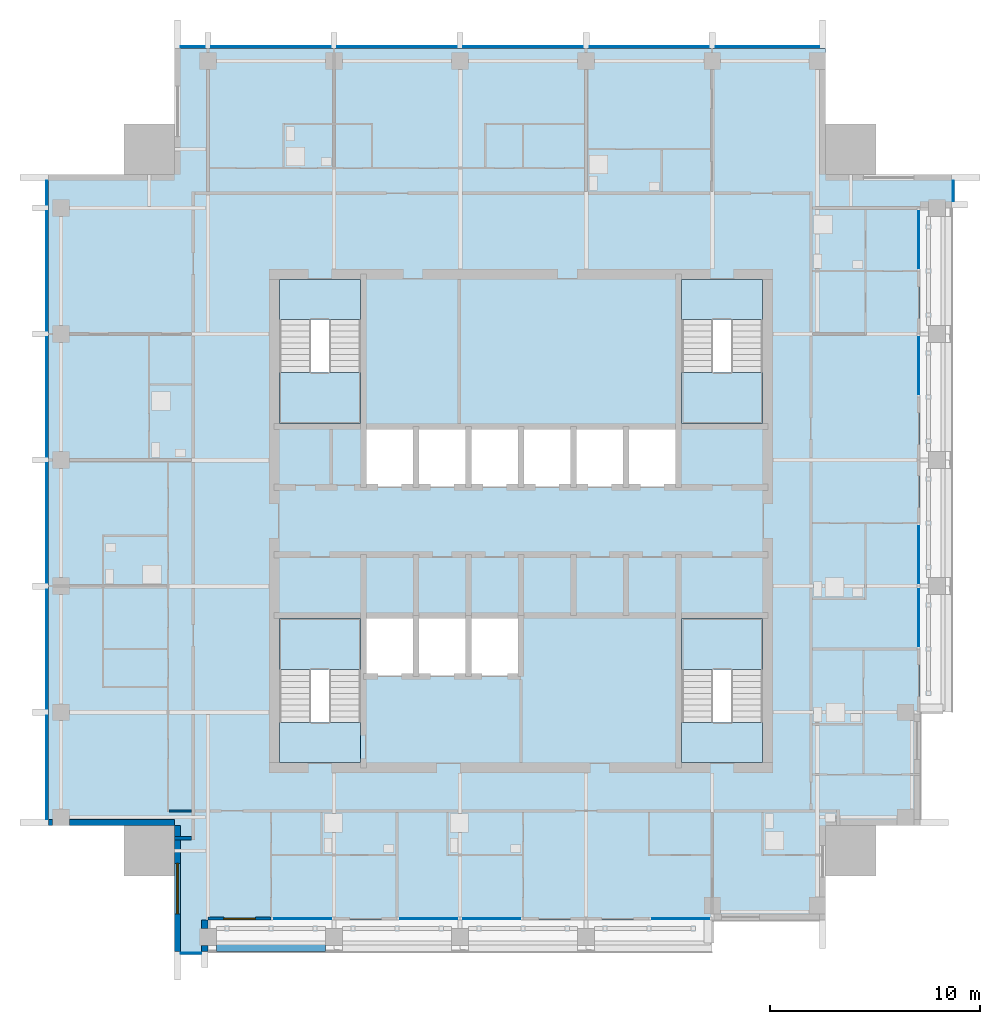
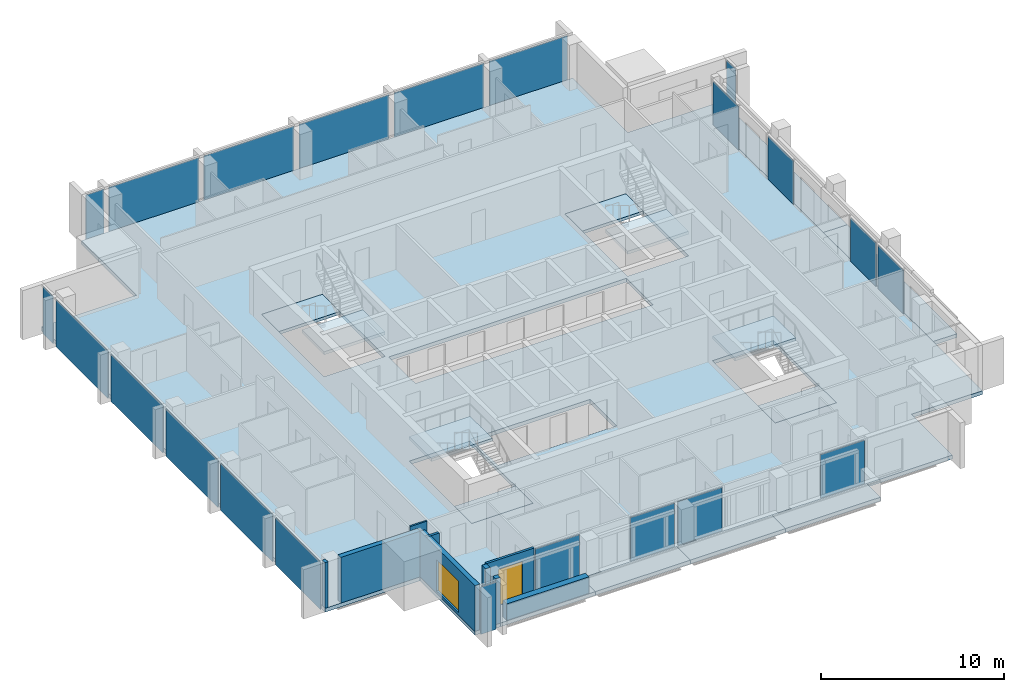
# One storey, part 6 of 15: 22 plates, 17 slabs, 9 walls, 1 door, 1 window, 2 openings, 16 elements without a shape of their own.
"""IFC4 building model written with IfcOpenShell, lengths in metres."""

from ifc_helpers import new_model, si_unit, direction, frame, frame_2d, origin, origin_2d, place, context, subcontext, project, spatial, polyline, rectangle, outline, extrude, material, layer, layer_set, type_object, element, fill, aggregate, save


model = new_model("IFC4")

# Units and contexts
model_context = context("Model", 3, precision=1e-05, world=origin(), true_north=direction((0.0, 1.0)))
body_context = subcontext(model_context, "Body", "Model", "MODEL_VIEW")
ifc_project = project(units=[si_unit("LENGTHUNIT", "METRE"), si_unit("AREAUNIT", "SQUARE_METRE"), si_unit("VOLUMEUNIT", "CUBIC_METRE"), si_unit("PLANEANGLEUNIT", "RADIAN"), si_unit("MASSUNIT", "GRAM", prefix="KILO")], contexts=[model_context])

# Site, building, storey
site_placement = place(None, origin())
site = spatial("IfcSite", under=ifc_project, at=site_placement, CompositionType="ELEMENT")
building_placement = place(site_placement, origin())
building = spatial("IfcBuilding", under=site, at=building_placement, Name="Amberfall Residences", CompositionType="ELEMENT")
storey_placement = place(building_placement, frame((0.0, 0.0, 268.60009765625)))
storey = spatial("IfcBuildingStorey", under=building, at=storey_placement, Name="L72", CompositionType="ELEMENT", Elevation=268.60009765625)

# Curtain wall, plate
ifc_material_1 = material(Name="Bronze anodised aluminium and glass", Category="aluminium")
curtain_wall_type_1 = type_object("IfcCurtainWallType", Name="Curtain wall CW1 tower unit", PredefinedType="USERDEFINED", material=ifc_material_1)
curtain_wall_1_placement = place(storey_placement, origin())
curtain_wall_1 = element("IfcCurtainWall", 1, at=curtain_wall_1_placement, inside=storey, type_object=curtain_wall_type_1, Name="Curtain wall L72 S S1", ObjectType="UNITISED CURTAIN WALL", PredefinedType="USERDEFINED")
ifc_material_2 = material(Name="Tinted double glazed unit", Category="glass")
ifc_layer_1 = layer(ifc_material_2, 0.035888671875)
ifc_layer_set_1 = layer_set([ifc_layer_1], Name="CW1 panel 36 glazing")
plate_type_1 = type_object("IfcPlateType", Name="CW1 panel 36 glazing", PredefinedType="CURTAIN_PANEL", material=ifc_layer_set_1)
plate_1_placement = place(storey_placement, frame((58.800048828125, 24.925048828125, -0.25), z_axis=(0.0, 0.0, 1.0), x_axis=(1.0, 0.0, 0.0)))
plate_1 = element("IfcPlate", 2, at=plate_1_placement, type_object=plate_type_1, Name="CW1 panel 1.1", PredefinedType="CURTAIN_PANEL", context=body_context, shape_type="SweptSolid", body=[
    extrude(rectangle(XDim=0.97607421875, YDim=0.035888671875, at=origin_2d()), origin(), (0.0, 0.0, 1.0), 3.14990234375),
])
aggregate(curtain_wall_1, [plate_1])

curtain_wall_2_placement = place(storey_placement, origin())
curtain_wall_2 = element("IfcCurtainWall", 3, at=curtain_wall_2_placement, inside=storey, type_object=curtain_wall_type_1, Name="Curtain wall L72 E E7", ObjectType="UNITISED CURTAIN WALL", PredefinedType="USERDEFINED")
plate_2_placement = place(storey_placement, frame((95.074951171875, 61.199951171875, -0.25), z_axis=(0.0, 0.0, 1.0), x_axis=(0.0, 1.0, 0.0)))
plate_2 = element("IfcPlate", 4, at=plate_2_placement, type_object=plate_type_1, Name="CW1 panel 1.1", PredefinedType="CURTAIN_PANEL", context=body_context, shape_type="SweptSolid", body=[
    extrude(rectangle(XDim=0.97607421875, YDim=0.035888671875, at=origin_2d()), origin(), (0.0, 0.0, 1.0), 3.14990234375),
])
aggregate(curtain_wall_2, [plate_2])

# Curtain wall, plates
curtain_wall_3_placement = place(storey_placement, origin())
curtain_wall_3 = element("IfcCurtainWall", 5, at=curtain_wall_3_placement, inside=storey, type_object=curtain_wall_type_1, Name="Curtain wall L72 N N1", ObjectType="UNITISED CURTAIN WALL", PredefinedType="USERDEFINED")
plate_3_placement = place(storey_placement, frame((86.22509765625, 68.074951171875, -0.25), z_axis=(0.0, 0.0, 1.0), x_axis=(-1.0, 0.0, 0.0)))
plate_3 = element("IfcPlate", 6, at=plate_3_placement, type_object=plate_type_1, Name="CW1 panel 1.1", PredefinedType="CURTAIN_PANEL", context=body_context, shape_type="SweptSolid", body=[
    extrude(rectangle(XDim=4.926025390625, YDim=0.035888671875, at=origin_2d()), origin(), (0.0, 0.0, 1.0), 3.14990234375),
])
plate_4_placement = place(storey_placement, frame((80.60009765625, 68.074951171875, -0.25), z_axis=(0.0, 0.0, 1.0), x_axis=(-1.0, 0.0, 0.0)))
plate_4 = element("IfcPlate", 7, at=plate_4_placement, type_object=plate_type_1, Name="CW1 panel 2.1", PredefinedType="CURTAIN_PANEL", context=body_context, shape_type="SweptSolid", body=[
    extrude(rectangle(XDim=5.676025390625, YDim=0.035888671875, at=origin_2d()), origin(), (0.0, 0.0, 1.0), 3.14990234375),
])
plate_5_placement = place(storey_placement, frame((74.60009765625, 68.074951171875, -0.25), z_axis=(0.0, 0.0, 1.0), x_axis=(-1.0, 0.0, 0.0)))
plate_5 = element("IfcPlate", 8, at=plate_5_placement, type_object=plate_type_1, Name="CW1 panel 3.1", PredefinedType="CURTAIN_PANEL", context=body_context, shape_type="SweptSolid", body=[
    extrude(rectangle(XDim=5.676025390625, YDim=0.035888671875, at=origin_2d()), origin(), (0.0, 0.0, 1.0), 3.14990234375),
])
plate_6_placement = place(storey_placement, frame((68.60009765625, 68.074951171875, -0.25), z_axis=(0.0, 0.0, 1.0), x_axis=(-1.0, 0.0, 0.0)))
plate_6 = element("IfcPlate", 9, at=plate_6_placement, type_object=plate_type_1, Name="CW1 panel 4.1", PredefinedType="CURTAIN_PANEL", context=body_context, shape_type="SweptSolid", body=[
    extrude(rectangle(XDim=5.676025390625, YDim=0.035888671875, at=origin_2d()), origin(), (0.0, 0.0, 1.0), 3.14990234375),
])
plate_7_placement = place(storey_placement, frame((62.60009765625, 68.074951171875, -0.25), z_axis=(0.0, 0.0, 1.0), x_axis=(-1.0, 0.0, 0.0)))
plate_7 = element("IfcPlate", 10, at=plate_7_placement, type_object=plate_type_1, Name="CW1 panel 5.1", PredefinedType="CURTAIN_PANEL", context=body_context, shape_type="SweptSolid", body=[
    extrude(rectangle(XDim=5.676025390625, YDim=0.035888671875, at=origin_2d()), origin(), (0.0, 0.0, 1.0), 3.14990234375),
])
plate_8_placement = place(storey_placement, frame((58.875, 68.074951171875, -0.25), z_axis=(0.0, 0.0, 1.0), x_axis=(-1.0, 0.0, 0.0)))
plate_8 = element("IfcPlate", 11, at=plate_8_placement, type_object=plate_type_1, Name="CW1 panel 6.1", PredefinedType="CURTAIN_PANEL", context=body_context, shape_type="SweptSolid", body=[
    extrude(rectangle(XDim=1.1259765625, YDim=0.035888671875, at=origin_2d()), origin(), (0.0, 0.0, 1.0), 3.14990234375),
])
aggregate(curtain_wall_3, [plate_3, plate_4, plate_5, plate_6, plate_7, plate_8])

curtain_wall_4_placement = place(storey_placement, origin())
curtain_wall_4 = element("IfcCurtainWall", 12, at=curtain_wall_4_placement, inside=storey, type_object=curtain_wall_type_1, Name="Curtain wall L72 W W1", ObjectType="UNITISED CURTAIN WALL", PredefinedType="USERDEFINED")
plate_9_placement = place(storey_placement, frame((51.925048828125, 61.125, -0.25), z_axis=(0.0, 0.0, 1.0), x_axis=(0.0, -1.0, 0.0)))
plate_9 = element("IfcPlate", 13, at=plate_9_placement, type_object=plate_type_1, Name="CW1 panel 1.1", PredefinedType="CURTAIN_PANEL", context=body_context, shape_type="SweptSolid", body=[
    extrude(rectangle(XDim=1.1259765625, YDim=0.035888671875, at=origin_2d()), origin(), (0.0, 0.0, 1.0), 3.14990234375),
])
plate_10_placement = place(storey_placement, frame((51.925048828125, 57.39990234375, -0.25), z_axis=(0.0, 0.0, 1.0), x_axis=(0.0, -1.0, 0.0)))
plate_10 = element("IfcPlate", 14, at=plate_10_placement, type_object=plate_type_1, Name="CW1 panel 2.1", PredefinedType="CURTAIN_PANEL", context=body_context, shape_type="SweptSolid", body=[
    extrude(rectangle(XDim=5.676025390625, YDim=0.035888671875, at=origin_2d()), origin(), (0.0, 0.0, 1.0), 3.14990234375),
])
plate_11_placement = place(storey_placement, frame((51.925048828125, 51.39990234375, -0.25), z_axis=(0.0, 0.0, 1.0), x_axis=(0.0, -1.0, 0.0)))
plate_11 = element("IfcPlate", 15, at=plate_11_placement, type_object=plate_type_1, Name="CW1 panel 3.1", PredefinedType="CURTAIN_PANEL", context=body_context, shape_type="SweptSolid", body=[
    extrude(rectangle(XDim=5.676025390625, YDim=0.035888671875, at=origin_2d()), origin(), (0.0, 0.0, 1.0), 3.14990234375),
])
plate_12_placement = place(storey_placement, frame((51.925048828125, 45.39990234375, -0.25), z_axis=(0.0, 0.0, 1.0), x_axis=(0.0, -1.0, 0.0)))
plate_12 = element("IfcPlate", 16, at=plate_12_placement, type_object=plate_type_1, Name="CW1 panel 4.1", PredefinedType="CURTAIN_PANEL", context=body_context, shape_type="SweptSolid", body=[
    extrude(rectangle(XDim=5.676025390625, YDim=0.035888671875, at=origin_2d()), origin(), (0.0, 0.0, 1.0), 3.14990234375),
])
plate_13_placement = place(storey_placement, frame((51.925048828125, 39.39990234375, -0.25), z_axis=(0.0, 0.0, 1.0), x_axis=(0.0, -1.0, 0.0)))
plate_13 = element("IfcPlate", 17, at=plate_13_placement, type_object=plate_type_1, Name="CW1 panel 5.1", PredefinedType="CURTAIN_PANEL", context=body_context, shape_type="SweptSolid", body=[
    extrude(rectangle(XDim=5.676025390625, YDim=0.035888671875, at=origin_2d()), origin(), (0.0, 0.0, 1.0), 3.14990234375),
])
plate_14_placement = place(storey_placement, frame((51.925048828125, 33.77490234375, -0.25), z_axis=(0.0, 0.0, 1.0), x_axis=(0.0, -1.0, 0.0)))
plate_14 = element("IfcPlate", 18, at=plate_14_placement, type_object=plate_type_1, Name="CW1 panel 6.1", PredefinedType="CURTAIN_PANEL", context=body_context, shape_type="SweptSolid", body=[
    extrude(rectangle(XDim=4.926025390625, YDim=0.035888671875, at=origin_2d()), origin(), (0.0, 0.0, 1.0), 3.14990234375),
])
aggregate(curtain_wall_4, [plate_9, plate_10, plate_11, plate_12, plate_13, plate_14])

# Curtain wall, plate
curtain_wall_type_2 = type_object("IfcCurtainWallType", Name="Curtain wall CW3 sky garden glazing", PredefinedType="USERDEFINED", material=ifc_material_1)
curtain_wall_5_placement = place(storey_placement, origin())
curtain_wall_5 = element("IfcCurtainWall", 19, at=curtain_wall_5_placement, inside=storey, type_object=curtain_wall_type_2, Name="Curtain wall L72 S S3", ObjectType="UNITISED CURTAIN WALL", PredefinedType="USERDEFINED")
ifc_material_3 = material(Name="Tinted laminated double glazed unit", Category="glass")
ifc_layer_2 = layer(ifc_material_3, 0.0439453125)
ifc_layer_set_2 = layer_set([ifc_layer_2], Name="CW3 panel 44 glazing")
plate_type_2 = type_object("IfcPlateType", Name="CW3 panel 44 glazing", PredefinedType="CURTAIN_PANEL", material=ifc_layer_set_2)
plate_15_placement = place(storey_placement, frame((64.10009765625, 26.574951171875, 0.0), z_axis=(0.0, 0.0, 1.0), x_axis=(1.0, 0.0, 0.0)))
plate_15 = element("IfcPlate", 20, at=plate_15_placement, type_object=plate_type_2, Name="CW3 panel 1.1", PredefinedType="CURTAIN_PANEL", context=body_context, shape_type="SweptSolid", body=[
    extrude(rectangle(XDim=2.77587890625, YDim=0.0439453125, at=origin_2d()), origin(), (0.0, 0.0, 1.0), 2.89990234375),
])
aggregate(curtain_wall_5, [plate_15])

curtain_wall_6_placement = place(storey_placement, origin())
curtain_wall_6 = element("IfcCurtainWall", 21, at=curtain_wall_6_placement, inside=storey, type_object=curtain_wall_type_2, Name="Curtain wall L72 S S4", ObjectType="UNITISED CURTAIN WALL", PredefinedType="USERDEFINED")
plate_16_placement = place(storey_placement, frame((70.10009765625, 26.574951171875, 0.0), z_axis=(0.0, 0.0, 1.0), x_axis=(1.0, 0.0, 0.0)))
plate_16 = element("IfcPlate", 22, at=plate_16_placement, type_object=plate_type_2, Name="CW3 panel 1.1", PredefinedType="CURTAIN_PANEL", context=body_context, shape_type="SweptSolid", body=[
    extrude(rectangle(XDim=2.77587890625, YDim=0.0439453125, at=origin_2d()), origin(), (0.0, 0.0, 1.0), 2.89990234375),
])
aggregate(curtain_wall_6, [plate_16])

curtain_wall_7_placement = place(storey_placement, origin())
curtain_wall_7 = element("IfcCurtainWall", 23, at=curtain_wall_7_placement, inside=storey, type_object=curtain_wall_type_2, Name="Curtain wall L72 S S5", ObjectType="UNITISED CURTAIN WALL", PredefinedType="USERDEFINED")
plate_17_placement = place(storey_placement, frame((73.10009765625, 26.574951171875, 0.0), z_axis=(0.0, 0.0, 1.0), x_axis=(1.0, 0.0, 0.0)))
plate_17 = element("IfcPlate", 24, at=plate_17_placement, type_object=plate_type_2, Name="CW3 panel 1.1", PredefinedType="CURTAIN_PANEL", context=body_context, shape_type="SweptSolid", body=[
    extrude(rectangle(XDim=2.77587890625, YDim=0.0439453125, at=origin_2d()), origin(), (0.0, 0.0, 1.0), 2.89990234375),
])
aggregate(curtain_wall_7, [plate_17])

curtain_wall_8_placement = place(storey_placement, origin())
curtain_wall_8 = element("IfcCurtainWall", 25, at=curtain_wall_8_placement, inside=storey, type_object=curtain_wall_type_2, Name="Curtain wall L72 S S6", ObjectType="UNITISED CURTAIN WALL", PredefinedType="USERDEFINED")
plate_18_placement = place(storey_placement, frame((82.10009765625, 26.574951171875, 0.0), z_axis=(0.0, 0.0, 1.0), x_axis=(1.0, 0.0, 0.0)))
plate_18 = element("IfcPlate", 26, at=plate_18_placement, type_object=plate_type_2, Name="CW3 panel 1.1", PredefinedType="CURTAIN_PANEL", context=body_context, shape_type="SweptSolid", body=[
    extrude(rectangle(XDim=2.77587890625, YDim=0.0439453125, at=origin_2d()), origin(), (0.0, 0.0, 1.0), 2.89990234375),
])
aggregate(curtain_wall_8, [plate_18])

curtain_wall_9_placement = place(storey_placement, origin())
curtain_wall_9 = element("IfcCurtainWall", 27, at=curtain_wall_9_placement, inside=storey, type_object=curtain_wall_type_2, Name="Curtain wall L72 E E2", ObjectType="UNITISED CURTAIN WALL", PredefinedType="USERDEFINED")
plate_19_placement = place(storey_placement, frame((93.425048828125, 40.89990234375, 0.0), z_axis=(0.0, 0.0, 1.0), x_axis=(0.0, 1.0, 0.0)))
plate_19 = element("IfcPlate", 28, at=plate_19_placement, type_object=plate_type_2, Name="CW3 panel 1.1", PredefinedType="CURTAIN_PANEL", context=body_context, shape_type="SweptSolid", body=[
    extrude(rectangle(XDim=2.77587890625, YDim=0.0439453125, at=origin_2d()), origin(), (0.0, 0.0, 1.0), 2.89990234375),
])
aggregate(curtain_wall_9, [plate_19])

curtain_wall_10_placement = place(storey_placement, origin())
curtain_wall_10 = element("IfcCurtainWall", 29, at=curtain_wall_10_placement, inside=storey, type_object=curtain_wall_type_2, Name="Curtain wall L72 E E3", ObjectType="UNITISED CURTAIN WALL", PredefinedType="USERDEFINED")
plate_20_placement = place(storey_placement, frame((93.425048828125, 43.89990234375, 0.0), z_axis=(0.0, 0.0, 1.0), x_axis=(0.0, 1.0, 0.0)))
plate_20 = element("IfcPlate", 30, at=plate_20_placement, type_object=plate_type_2, Name="CW3 panel 1.1", PredefinedType="CURTAIN_PANEL", context=body_context, shape_type="SweptSolid", body=[
    extrude(rectangle(XDim=2.77587890625, YDim=0.0439453125, at=origin_2d()), origin(), (0.0, 0.0, 1.0), 2.89990234375),
])
aggregate(curtain_wall_10, [plate_20])

curtain_wall_11_placement = place(storey_placement, origin())
curtain_wall_11 = element("IfcCurtainWall", 31, at=curtain_wall_11_placement, inside=storey, type_object=curtain_wall_type_2, Name="Curtain wall L72 E E4", ObjectType="UNITISED CURTAIN WALL", PredefinedType="USERDEFINED")
plate_21_placement = place(storey_placement, frame((93.425048828125, 52.89990234375, 0.0), z_axis=(0.0, 0.0, 1.0), x_axis=(0.0, 1.0, 0.0)))
plate_21 = element("IfcPlate", 32, at=plate_21_placement, type_object=plate_type_2, Name="CW3 panel 1.1", PredefinedType="CURTAIN_PANEL", context=body_context, shape_type="SweptSolid", body=[
    extrude(rectangle(XDim=2.77587890625, YDim=0.0439453125, at=origin_2d()), origin(), (0.0, 0.0, 1.0), 2.89990234375),
])
aggregate(curtain_wall_11, [plate_21])

curtain_wall_12_placement = place(storey_placement, origin())
curtain_wall_12 = element("IfcCurtainWall", 33, at=curtain_wall_12_placement, inside=storey, type_object=curtain_wall_type_2, Name="Curtain wall L72 E E5", ObjectType="UNITISED CURTAIN WALL", PredefinedType="USERDEFINED")
plate_22_placement = place(storey_placement, frame((93.425048828125, 58.89990234375, 0.0), z_axis=(0.0, 0.0, 1.0), x_axis=(0.0, 1.0, 0.0)))
plate_22 = element("IfcPlate", 34, at=plate_22_placement, type_object=plate_type_2, Name="CW3 panel 1.1", PredefinedType="CURTAIN_PANEL", context=body_context, shape_type="SweptSolid", body=[
    extrude(rectangle(XDim=2.77587890625, YDim=0.0439453125, at=origin_2d()), origin(), (0.0, 0.0, 1.0), 2.89990234375),
])
aggregate(curtain_wall_12, [plate_22])

# Slabs
ifc_material_4 = material(Name="Concrete C50", Category="concrete")
ifc_layer_3 = layer(ifc_material_4, 0.25)
ifc_layer_set_3 = layer_set([ifc_layer_3], Name="Floor slab 250 C50")
slab_type_1 = type_object("IfcSlabType", Name="Floor slab 250 C50", PredefinedType="FLOOR", material=ifc_layer_set_3)
slab_1_placement = place(storey_placement, frame((0.0, 0.0, -0.25)))
element("IfcSlab", 35, at=slab_1_placement, inside=storey, type_object=slab_type_1, Name="Floor slab S19 L72", PredefinedType="FLOOR", context=body_context, shape_type="SweptSolid", body=[
    extrude(outline(polyline([(83.60009765625, 26.5), (77.60009765625, 26.5), (71.60009765625, 26.5), (65.60009765625, 26.5), (59.60009765625, 26.5), (59.60009765625, 25.0), (58.0, 25.0), (58.0, 31.0), (52.0, 31.0), (52.0, 62.0), (58.0, 62.0), (58.0, 68.0), (89.0, 68.0), (89.0, 62.0), (95.0, 62.0), (95.0, 60.39990234375), (93.5, 60.39990234375), (93.5, 54.39990234375), (93.5, 48.39990234375), (93.5, 42.39990234375), (93.5, 36.39990234375), (93.5, 31.0), (89.0, 31.0), (89.0, 26.5), (83.60009765625, 26.5)]), holes=[polyline([(86.0, 34.0), (86.0, 40.85009765625), (82.14990234375, 40.85009765625), (82.14990234375, 34.0), (86.0, 34.0)]), polyline([(86.0, 50.14990234375), (86.0, 57.0), (82.14990234375, 57.0), (82.14990234375, 50.14990234375), (86.0, 50.14990234375)]), polyline([(67.0, 50.0), (67.0, 47.10009765625), (69.5, 47.10009765625), (72.0, 47.10009765625), (74.5, 47.10009765625), (77.0, 47.10009765625), (79.5, 47.10009765625), (82.0, 47.10009765625), (82.0, 50.0), (79.5, 50.0), (77.0, 50.0), (74.5, 50.0), (72.0, 50.0), (69.5, 50.0), (67.0, 50.0)]), polyline([(69.5, 41.0), (67.0, 41.0), (67.0, 38.10009765625), (69.5, 38.10009765625), (72.0, 38.10009765625), (74.5, 38.10009765625), (74.5, 41.0), (72.0, 41.0), (69.5, 41.0)]), polyline([(66.85009765625, 40.85009765625), (63.0, 40.85009765625), (63.0, 34.0), (66.85009765625, 34.0), (66.85009765625, 40.85009765625)]), polyline([(66.85009765625, 57.0), (63.0, 57.0), (63.0, 50.14990234375), (66.85009765625, 50.14990234375), (66.85009765625, 57.0)])]), origin(), (0.0, 0.0, 1.0), 0.25),
])
ifc_layer_4 = layer(ifc_material_4, 0.25)
ifc_layer_set_4 = layer_set([ifc_layer_4], Name="Garden terrace slab 250 C50")
slab_type_2 = type_object("IfcSlabType", Name="Garden terrace slab 250 C50", PredefinedType="FLOOR", material=ifc_layer_set_4)
slab_2_placement = place(storey_placement, frame((0.0, 0.0, -0.25)))
element("IfcSlab", 36, at=slab_2_placement, inside=storey, type_object=slab_type_2, Name="Terrace slab S21 L72 S1", PredefinedType="FLOOR", context=body_context, shape_type="SweptSolid", body=[
    extrude(outline(polyline([(65.60009765625, 25.0), (65.60009765625, 26.5), (59.60009765625, 26.5), (59.60009765625, 25.0), (65.60009765625, 25.0)])), origin(), (0.0, 0.0, 1.0), 0.25),
])
slab_3_placement = place(storey_placement, frame((0.0, 0.0, -0.25)))
element("IfcSlab", 37, at=slab_3_placement, inside=storey, type_object=slab_type_2, Name="Terrace slab S21 L72 S2", PredefinedType="FLOOR", context=body_context, shape_type="SweptSolid", body=[
    extrude(outline(polyline([(71.60009765625, 25.0), (71.60009765625, 26.5), (65.60009765625, 26.5), (65.60009765625, 25.0), (71.60009765625, 25.0)])), origin(), (0.0, 0.0, 1.0), 0.25),
])
slab_4_placement = place(storey_placement, frame((0.0, 0.0, -0.25)))
element("IfcSlab", 38, at=slab_4_placement, inside=storey, type_object=slab_type_2, Name="Terrace slab S21 L72 S3", PredefinedType="FLOOR", context=body_context, shape_type="SweptSolid", body=[
    extrude(outline(polyline([(77.60009765625, 25.0), (77.60009765625, 26.5), (71.60009765625, 26.5), (71.60009765625, 25.0), (77.60009765625, 25.0)])), origin(), (0.0, 0.0, 1.0), 0.25),
])
slab_5_placement = place(storey_placement, frame((0.0, 0.0, -0.25)))
element("IfcSlab", 39, at=slab_5_placement, inside=storey, type_object=slab_type_2, Name="Terrace slab S21 L72 S4", PredefinedType="FLOOR", context=body_context, shape_type="SweptSolid", body=[
    extrude(outline(polyline([(83.60009765625, 25.0), (83.60009765625, 26.5), (77.60009765625, 26.5), (77.60009765625, 25.0), (83.60009765625, 25.0)])), origin(), (0.0, 0.0, 1.0), 0.25),
])
slab_6_placement = place(storey_placement, frame((0.0, 0.0, -0.25)))
element("IfcSlab", 40, at=slab_6_placement, inside=storey, type_object=slab_type_2, Name="Terrace slab S21 L72 E2", PredefinedType="FLOOR", context=body_context, shape_type="SweptSolid", body=[
    extrude(outline(polyline([(95.0, 36.39990234375), (95.0, 42.39990234375), (93.5, 42.39990234375), (93.5, 36.39990234375), (95.0, 36.39990234375)])), origin(), (0.0, 0.0, 1.0), 0.25),
])
slab_7_placement = place(storey_placement, frame((0.0, 0.0, -0.25)))
element("IfcSlab", 41, at=slab_7_placement, inside=storey, type_object=slab_type_2, Name="Terrace slab S21 L72 E3", PredefinedType="FLOOR", context=body_context, shape_type="SweptSolid", body=[
    extrude(outline(polyline([(95.0, 42.39990234375), (95.0, 48.39990234375), (93.5, 48.39990234375), (93.5, 42.39990234375), (95.0, 42.39990234375)])), origin(), (0.0, 0.0, 1.0), 0.25),
])
slab_8_placement = place(storey_placement, frame((0.0, 0.0, -0.25)))
element("IfcSlab", 42, at=slab_8_placement, inside=storey, type_object=slab_type_2, Name="Terrace slab S21 L72 E4", PredefinedType="FLOOR", context=body_context, shape_type="SweptSolid", body=[
    extrude(outline(polyline([(95.0, 48.39990234375), (95.0, 54.39990234375), (93.5, 54.39990234375), (93.5, 48.39990234375), (95.0, 48.39990234375)])), origin(), (0.0, 0.0, 1.0), 0.25),
])
slab_9_placement = place(storey_placement, frame((0.0, 0.0, -0.25)))
element("IfcSlab", 43, at=slab_9_placement, inside=storey, type_object=slab_type_2, Name="Terrace slab S21 L72 E5", PredefinedType="FLOOR", context=body_context, shape_type="SweptSolid", body=[
    extrude(outline(polyline([(95.0, 54.39990234375), (95.0, 60.39990234375), (93.5, 60.39990234375), (93.5, 54.39990234375), (95.0, 54.39990234375)])), origin(), (0.0, 0.0, 1.0), 0.25),
])

# Stair, slabs
ifc_material_5 = material(Name="Concrete C40", Category="concrete")
stair_type = type_object("IfcStairType", Name="Exit stair 20 risers 165.0 mm", PredefinedType="HALF_TURN_STAIR", material=ifc_material_5)
stair_1_placement = place(storey_placement, origin())
stair_1 = element("IfcStair", 44, at=stair_1_placement, inside=storey, type_object=stair_type, Name="L72 Exit stair 1", PredefinedType="HALF_TURN_STAIR")
ifc_layer_5 = layer(ifc_material_5, 0.199951171875)
ifc_layer_set_5 = layer_set([ifc_layer_5], Name="Stair landing 200")
slab_type_3 = type_object("IfcSlabType", Name="Stair landing 200", PredefinedType="LANDING", material=ifc_layer_set_5)
slab_10_placement = place(storey_placement, frame((0.0, 0.0, 1.449951171875)))
slab_10 = element("IfcSlab", 45, at=slab_10_placement, type_object=slab_type_3, Name="ST3 landing 1", PredefinedType="LANDING", context=body_context, shape_type="SweptSolid", body=[
    extrude(outline(polyline([(66.85009765625, 38.419921875), (66.85009765625, 40.85009765625), (63.0, 40.85009765625), (63.0, 38.419921875), (66.85009765625, 38.419921875)])), origin(), (0.0, 0.0, 1.0), 0.199951171875),
])
slab_11_placement = place(storey_placement, frame((0.0, 0.0, -0.2001953125)))
slab_11 = element("IfcSlab", 46, at=slab_11_placement, type_object=slab_type_3, Name="ST3 landing 2", PredefinedType="LANDING", context=body_context, shape_type="SweptSolid", body=[
    extrude(outline(polyline([(66.85009765625, 34.0), (66.85009765625, 35.89990234375), (63.0, 35.89990234375), (63.0, 34.0), (66.85009765625, 34.0)])), origin(), (0.0, 0.0, 1.0), 0.2001953125),
])
aggregate(stair_1, [slab_10, slab_11])

stair_2_placement = place(storey_placement, origin())
stair_2 = element("IfcStair", 47, at=stair_2_placement, inside=storey, type_object=stair_type, Name="L72 Exit stair 2", PredefinedType="HALF_TURN_STAIR")
slab_12_placement = place(storey_placement, frame((0.0, 0.0, 1.449951171875)))
slab_12 = element("IfcSlab", 48, at=slab_12_placement, type_object=slab_type_3, Name="ST3 landing 1", PredefinedType="LANDING", context=body_context, shape_type="SweptSolid", body=[
    extrude(outline(polyline([(86.0, 38.419921875), (86.0, 40.85009765625), (82.14990234375, 40.85009765625), (82.14990234375, 38.419921875), (86.0, 38.419921875)])), origin(), (0.0, 0.0, 1.0), 0.199951171875),
])
slab_13_placement = place(storey_placement, frame((0.0, 0.0, -0.2001953125)))
slab_13 = element("IfcSlab", 49, at=slab_13_placement, type_object=slab_type_3, Name="ST3 landing 2", PredefinedType="LANDING", context=body_context, shape_type="SweptSolid", body=[
    extrude(outline(polyline([(86.0, 34.0), (86.0, 35.89990234375), (82.14990234375, 35.89990234375), (82.14990234375, 34.0), (86.0, 34.0)])), origin(), (0.0, 0.0, 1.0), 0.2001953125),
])
aggregate(stair_2, [slab_12, slab_13])

stair_3_placement = place(storey_placement, origin())
stair_3 = element("IfcStair", 50, at=stair_3_placement, inside=storey, type_object=stair_type, Name="L72 Exit stair 3", PredefinedType="HALF_TURN_STAIR")
slab_14_placement = place(storey_placement, frame((0.0, 0.0, 1.449951171875)))
slab_14 = element("IfcSlab", 51, at=slab_14_placement, type_object=slab_type_3, Name="ST3 landing 1", PredefinedType="LANDING", context=body_context, shape_type="SweptSolid", body=[
    extrude(outline(polyline([(82.14990234375, 52.580078125), (82.14990234375, 50.14990234375), (86.0, 50.14990234375), (86.0, 52.580078125), (82.14990234375, 52.580078125)])), origin(), (0.0, 0.0, 1.0), 0.199951171875),
])
slab_15_placement = place(storey_placement, frame((0.0, 0.0, -0.2001953125)))
slab_15 = element("IfcSlab", 52, at=slab_15_placement, type_object=slab_type_3, Name="ST3 landing 2", PredefinedType="LANDING", context=body_context, shape_type="SweptSolid", body=[
    extrude(outline(polyline([(82.14990234375, 57.0), (82.14990234375, 55.10009765625), (86.0, 55.10009765625), (86.0, 57.0), (82.14990234375, 57.0)])), origin(), (0.0, 0.0, 1.0), 0.2001953125),
])
aggregate(stair_3, [slab_14, slab_15])

stair_4_placement = place(storey_placement, origin())
stair_4 = element("IfcStair", 53, at=stair_4_placement, inside=storey, type_object=stair_type, Name="L72 Exit stair 4", PredefinedType="HALF_TURN_STAIR")
slab_16_placement = place(storey_placement, frame((0.0, 0.0, 1.449951171875)))
slab_16 = element("IfcSlab", 54, at=slab_16_placement, type_object=slab_type_3, Name="ST3 landing 1", PredefinedType="LANDING", context=body_context, shape_type="SweptSolid", body=[
    extrude(outline(polyline([(63.0, 52.580078125), (63.0, 50.14990234375), (66.85009765625, 50.14990234375), (66.85009765625, 52.580078125), (63.0, 52.580078125)])), origin(), (0.0, 0.0, 1.0), 0.199951171875),
])
slab_17_placement = place(storey_placement, frame((0.0, 0.0, -0.2001953125)))
slab_17 = element("IfcSlab", 55, at=slab_17_placement, type_object=slab_type_3, Name="ST3 landing 2", PredefinedType="LANDING", context=body_context, shape_type="SweptSolid", body=[
    extrude(outline(polyline([(63.0, 57.0), (63.0, 55.10009765625), (66.85009765625, 55.10009765625), (66.85009765625, 57.0), (63.0, 57.0)])), origin(), (0.0, 0.0, 1.0), 0.2001953125),
])
aggregate(stair_4, [slab_16, slab_17])

# Walls
ifc_material_6 = material(Name="Pale stone cladding on insulated backing", Category="masonry")
ifc_layer_6 = layer(ifc_material_6, 0.300048828125)
ifc_layer_set_6 = layer_set([ifc_layer_6], Name="Bronze clad wall 300")
wall_type_1 = type_object("IfcWallType", Name="Bronze clad wall 300", PredefinedType="SOLIDWALL", material=ifc_layer_set_6)
wall_1_placement = place(storey_placement, frame((59.449951171875, 25.0, 0.0), z_axis=(0.0, 0.0, 1.0), x_axis=(0.0, 1.0, 0.0)))
element("IfcWall", 56, at=wall_1_placement, inside=storey, type_object=wall_type_1, Name="External wall L72 S", PredefinedType="SOLIDWALL", context=body_context, shape_type="SweptSolid", body=[
    extrude(rectangle(XDim=0.300048828125, YDim=0.300048828125, at=frame_2d((0.14990234375, 0.0))), origin(), (0.0, 0.0, 1.0), 3.0498046875),
])
wall_2_placement = place(storey_placement, frame((59.449951171875, 26.10009765625, 0.0), z_axis=(0.0, 0.0, 1.0), x_axis=(0.0, 1.0, 0.0)))
element("IfcWall", 57, at=wall_2_placement, inside=storey, type_object=wall_type_1, Name="External wall L72 S", PredefinedType="SOLIDWALL", context=body_context, shape_type="SweptSolid", body=[
    extrude(rectangle(XDim=0.39990234375, YDim=0.300048828125, at=frame_2d((0.199951171875, 0.0))), origin(), (0.0, 0.0, 1.0), 3.0498046875),
])
wall_3_placement = place(storey_placement, frame((52.0, 31.14990234375, 0.0), z_axis=(0.0, 0.0, 1.0), x_axis=(1.0, 0.0, 0.0)))
element("IfcWall", 58, at=wall_3_placement, inside=storey, type_object=wall_type_1, Name="External wall L72 SW", PredefinedType="SOLIDWALL", context=body_context, shape_type="SweptSolid", body=[
    extrude(rectangle(XDim=0.199951171875, YDim=0.300048828125, at=frame_2d((0.10009765625, 0.0))), origin(), (0.0, 0.0, 1.0), 3.0498046875),
])
wall_4_placement = place(storey_placement, frame((53.0, 31.14990234375, 0.0), z_axis=(0.0, 0.0, 1.0), x_axis=(1.0, 0.0, 0.0)))
element("IfcWall", 59, at=wall_4_placement, inside=storey, type_object=wall_type_1, Name="External wall L72 SW", PredefinedType="SOLIDWALL", context=body_context, shape_type="SweptSolid", body=[
    extrude(rectangle(XDim=5.0, YDim=0.300048828125, at=frame_2d((2.5, 0.0))), origin(), (0.0, 0.0, 1.0), 3.0498046875),
])

# Wall, opening, window
wall_5_placement = place(storey_placement, frame((58.14990234375, 31.0, 0.0), z_axis=(0.0, 0.0, 1.0), x_axis=(0.0, -1.0, 0.0)))
wall_5 = element("IfcWall", 60, at=wall_5_placement, inside=storey, type_object=wall_type_1, Name="External wall L72 SW", PredefinedType="SOLIDWALL", context=body_context, shape_type="SweptSolid", body=[
    extrude(rectangle(XDim=6.0, YDim=0.300048828125, at=frame_2d((3.0, 0.0))), origin(), (0.0, 0.0, 1.0), 3.0498046875),
])
opening_1_placement = place(wall_5_placement, frame((1.800048828125, 0.0, 0.14990234375)))
opening_1 = element("IfcOpeningElement", 61, at=opening_1_placement, cuts=wall_5, Name="Opening WN5", PredefinedType="OPENING", context=body_context, shape_type="SweptSolid", body=[
    extrude(rectangle(XDim=2.39990234375, YDim=2.10009765625, at=frame_2d((1.199951171875, 1.050048828125))), frame((0.0, 0.159912109375, 0.0), z_axis=(0.0, -1.0, 0.0), x_axis=(1.0, 0.0, 0.0)), (0.0, 0.0, 1.0), 0.320068359375),
])
ifc_material_7 = material(Name="Bronze aluminium framed glazing", Category="aluminium")
window_type = type_object("IfcWindowType", Name="Glazed opening 2400 x 2100 bronze", PartitioningType="DOUBLE_PANEL_VERTICAL", PredefinedType="WINDOW", material=ifc_material_7)
window_placement = place(opening_1_placement, origin())
window = element("IfcWindow", 62, at=window_placement, inside=storey, type_object=window_type, Name="Window L72 SW", OverallHeight=2.10009765625, OverallWidth=2.39990234375, PartitioningType="DOUBLE_PANEL_VERTICAL", PredefinedType="WINDOW", context=body_context, shape_type="SweptSolid", body=[
    extrude(rectangle(XDim=2.39990234375, YDim=2.10009765625, at=frame_2d((1.199951171875, 1.050048828125))), frame((0.0, 0.030029296875, 0.0), z_axis=(0.0, -1.0, 0.0), x_axis=(1.0, 0.0, 0.0)), (0.0, 0.0, 1.0), 0.06005859375),
])
fill(opening_1, window)

# Walls
ifc_material_8 = material(Name="Gypsum board on metal stud")
ifc_layer_7 = layer(ifc_material_8, 0.10009765625)
ifc_layer_set_7 = layer_set([ifc_layer_7], Name="Flat partition 100")
wall_type_2 = type_object("IfcWallType", Name="Flat partition 100", PredefinedType="PARTITIONING", material=ifc_layer_set_7)
wall_6_placement = place(storey_placement, frame((57.75, 31.699951171875, 0.0), z_axis=(0.0, 0.0, 1.0), x_axis=(1.0, 0.0, 0.0)))
element("IfcWall", 63, at=wall_6_placement, inside=storey, type_object=wall_type_2, Name="Partition 037", PredefinedType="PARTITIONING", context=body_context, shape_type="SweptSolid", body=[
    extrude(rectangle(XDim=1.074951171875, YDim=0.10009765625, at=frame_2d((0.53759765625, 0.0))), origin(), (0.0, 0.0, 1.0), 3.0498046875),
])
ifc_material_9 = material(Name="Blockwork, plastered", Category="masonry")
ifc_layer_8 = layer(ifc_material_9, 0.14990234375)
ifc_layer_set_8 = layer_set([ifc_layer_8], Name="Flat separating wall 150")
wall_type_3 = type_object("IfcWallType", Name="Flat separating wall 150", PredefinedType="PARTITIONING", material=ifc_layer_set_8)
wall_7_placement = place(storey_placement, frame((58.0, 30.39990234375, 0.0), z_axis=(0.0, 0.0, 1.0), x_axis=(1.0, 0.0, 0.0)))
element("IfcWall", 64, at=wall_7_placement, inside=storey, type_object=wall_type_3, Name="Separating wall 053", PredefinedType="PARTITIONING", context=body_context, shape_type="SweptSolid", body=[
    extrude(rectangle(XDim=0.824951171875, YDim=0.14990234375, at=frame_2d((0.41259765625, 0.0))), origin(), (0.0, 0.0, 1.0), 3.0498046875),
])

# Wall, opening, door
ifc_layer_9 = layer(ifc_material_6, 0.14990234375)
ifc_layer_set_9 = layer_set([ifc_layer_9], Name="Terrace door infill wall 150")
wall_type_4 = type_object("IfcWallType", Name="Terrace door infill wall 150", PredefinedType="SOLIDWALL", material=ifc_layer_set_9)
wall_8_placement = place(storey_placement, frame((59.60009765625, 26.574951171875, 0.0), z_axis=(0.0, 0.0, 1.0), x_axis=(1.0, 0.0, 0.0)))
wall_8 = element("IfcWall", 65, at=wall_8_placement, inside=storey, type_object=wall_type_4, Name="Terrace door wall L72 S1", PredefinedType="SOLIDWALL", context=body_context, shape_type="SweptSolid", body=[
    extrude(rectangle(XDim=3.0, YDim=0.14990234375, at=frame_2d((1.5, 0.0))), origin(), (0.0, 0.0, 1.0), 3.0498046875),
])
opening_2_placement = place(wall_8_placement, frame((0.75, 0.0, 0.0)))
opening_2 = element("IfcOpeningElement", 66, at=opening_2_placement, cuts=wall_8, Name="Opening TD2", PredefinedType="OPENING", context=body_context, shape_type="SweptSolid", body=[
    extrude(rectangle(XDim=1.5, YDim=2.39990234375, at=frame_2d((0.75, 1.199951171875))), frame((0.0, 0.0849609375, 0.0), z_axis=(0.0, -1.0, 0.0), x_axis=(1.0, 0.0, 0.0)), (0.0, 0.0, 1.0), 0.169921875),
])
ifc_material_10 = material(Name="Bronze aluminium framed glazed door", Category="aluminium")
door_type = type_object("IfcDoorType", Name="Terrace sliding door 1500 x 2400", OperationType="DOUBLE_DOOR_SLIDING", PredefinedType="DOOR", material=ifc_material_10)
door_placement = place(opening_2_placement, origin())
door = element("IfcDoor", 67, at=door_placement, inside=storey, type_object=door_type, Name="Terrace door TD2", OperationType="DOUBLE_DOOR_SLIDING", OverallHeight=2.39990234375, OverallWidth=1.5, PredefinedType="DOOR", context=body_context, shape_type="SweptSolid", body=[
    extrude(rectangle(XDim=1.5, YDim=2.39990234375, at=frame_2d((0.75, 1.199951171875))), frame((0.0, 0.02490234375, 0.0), z_axis=(0.0, -1.0, 0.0), x_axis=(1.0, 0.0, 0.0)), (0.0, 0.0, 1.0), 0.050048828125),
])
fill(opening_2, door)

# Wall
ifc_material_11 = material(Name="Pale stone faced Concrete C40", Category="masonry")
ifc_layer_10 = layer(ifc_material_11, 0.39990234375)
ifc_layer_set_10 = layer_set([ifc_layer_10], Name="Terrace parapet wall 400")
wall_type_5 = type_object("IfcWallType", Name="Terrace parapet wall 400", PredefinedType="PARAPET", material=ifc_layer_set_10)
wall_9_placement = place(storey_placement, frame((60.0, 25.199951171875, 0.02978515625), z_axis=(0.0, 0.0, 1.0), x_axis=(1.0, 0.0, 0.0)))
element("IfcWall", 68, at=wall_9_placement, inside=storey, type_object=wall_type_5, Name="Terrace parapet L72 S1", PredefinedType="PARAPET", context=body_context, shape_type="SweptSolid", body=[
    extrude(rectangle(XDim=5.199951171875, YDim=0.39990234375, at=frame_2d((2.60009765625, 0.0))), origin(), (0.0, 0.0, 1.0), 1.10009765625),
])

save(model, "model.ifc")
